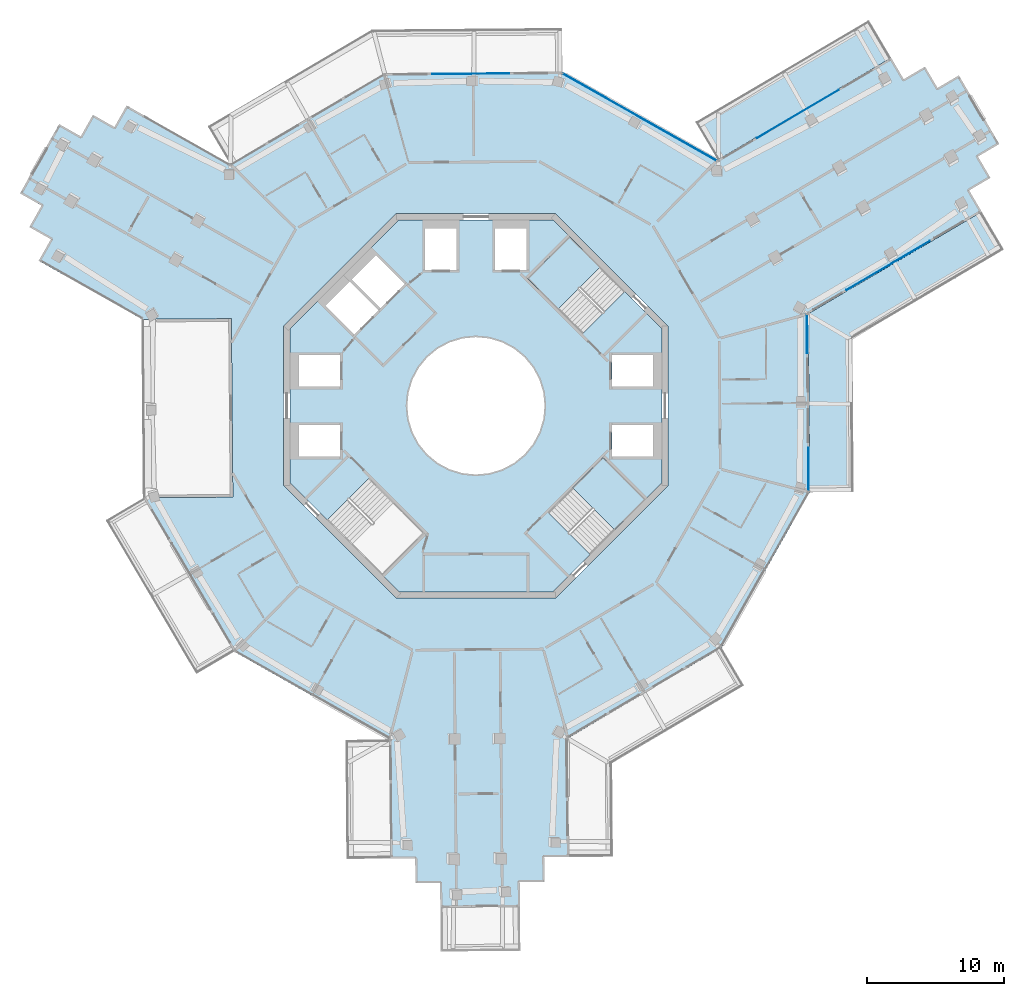
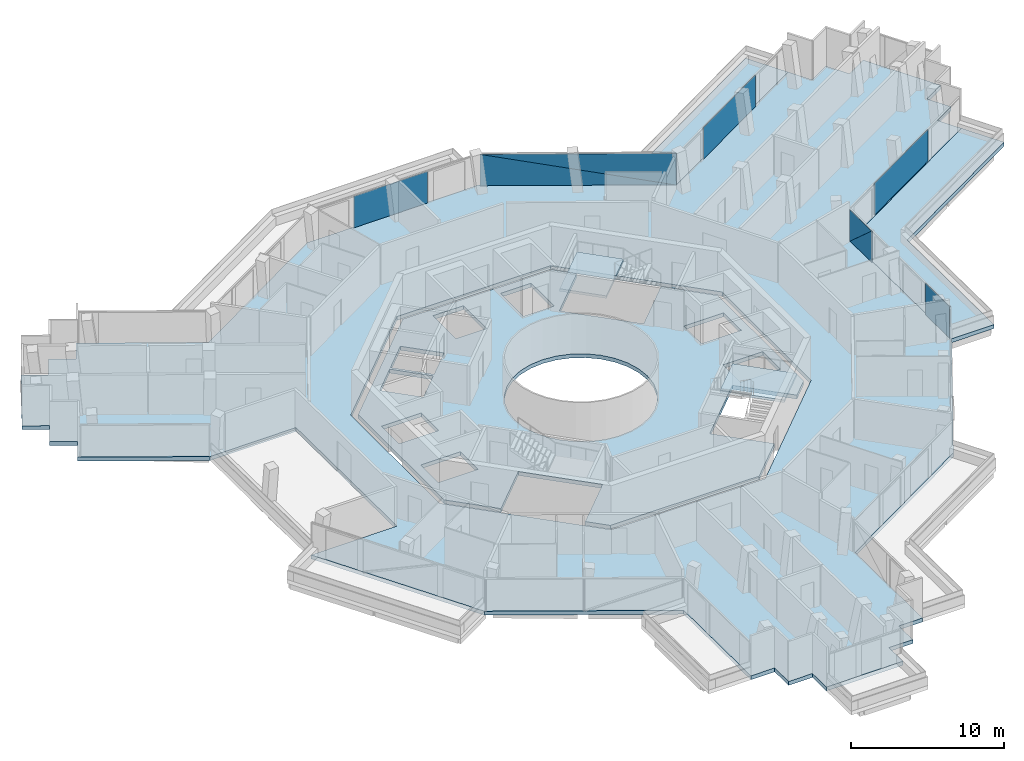
# One storey, part 16 of 26: 8 plates, 6 slabs, 7 elements without a shape of their own.
"""IFC4 building model written with IfcOpenShell, lengths in metres."""

from ifc_helpers import new_model, si_unit, direction, frame, origin, origin_2d, place, context, subcontext, project, spatial, polyline, rectangle, outline, extrude, material, layer, layer_set, type_object, element, aggregate, save


model = new_model("IFC4")

# Units and contexts
model_context = context("Model", 3, precision=1e-05, world=origin(), true_north=direction((0.0, 1.0)))
body_context = subcontext(model_context, "Body", "Model", "MODEL_VIEW")
ifc_project = project(units=[si_unit("LENGTHUNIT", "METRE"), si_unit("AREAUNIT", "SQUARE_METRE"), si_unit("VOLUMEUNIT", "CUBIC_METRE"), si_unit("PLANEANGLEUNIT", "RADIAN"), si_unit("MASSUNIT", "GRAM", prefix="KILO")], contexts=[model_context])

# Site, building, storey
site_placement = place(None, origin())
site = spatial("IfcSite", under=ifc_project, at=site_placement, CompositionType="ELEMENT")
building_placement = place(site_placement, origin())
building = spatial("IfcBuilding", under=site, at=building_placement, Name="Verdalira Terraces Hotel", CompositionType="ELEMENT")
storey_placement = place(building_placement, frame((0.0, 0.0, 281.0)))
storey = spatial("IfcBuildingStorey", under=building, at=storey_placement, Name="L69", CompositionType="ELEMENT", Elevation=281.0)

# Slabs
ifc_material_1 = material(Name="Precast concrete C40/50", Category="concrete")
ifc_layer_1 = layer(ifc_material_1, 0.31005859375)
ifc_layer_set_1 = layer_set([ifc_layer_1], Name="Balcony deck 310")
slab_type_1 = type_object("IfcSlabType", Name="Balcony deck 310", PredefinedType="FLOOR", material=ifc_layer_set_1)
slab_1_placement = place(storey_placement, frame((0.0, 0.0, -0.310059)))
element("IfcSlab", 1, at=slab_1_placement, inside=storey, type_object=slab_type_1, Name="Balcony deck", PredefinedType="FLOOR", context=body_context, shape_type="SweptSolid", body=[
    extrude(outline(polyline([(38.460449, 11.381348), (36.837158, 14.13916), (24.203125, 6.702881), (24.312012, -6.296631), (27.511719, -6.269775), (27.418457, 4.882324), (38.460449, 11.381348)])), origin(), (0.0, 0.0, 1.0), 0.310059),
])
slab_2_placement = place(storey_placement, frame((0.0, 0.0, -0.310059)))
element("IfcSlab", 2, at=slab_2_placement, inside=storey, type_object=slab_type_1, Name="Balcony deck", PredefinedType="FLOOR", context=body_context, shape_type="SweptSolid", body=[
    extrude(outline(polyline([(15.98584, 20.664307), (17.608887, 17.906494), (30.243164, 25.342529), (28.619873, 28.100342), (15.98584, 20.664307)])), origin(), (0.0, 0.0, 1.0), 0.310059),
])

# Curtain wall, plates
ifc_material_2 = material(Name="Clear glass", Category="glass")
ifc_layer_2 = layer(ifc_material_2, 0.14990234375)
ifc_layer_set_2 = layer_set([ifc_layer_2], Name="CW1 curtain wall")
curtain_wall_type_1 = type_object("IfcCurtainWallType", Name="CW1 curtain wall", PredefinedType="NOTDEFINED", material=ifc_layer_set_2)
curtain_wall_1_placement = place(storey_placement, origin())
curtain_wall_1 = element("IfcCurtainWall", 3, at=curtain_wall_1_placement, inside=storey, type_object=curtain_wall_type_1, Name="CW1 curtain wall L69 edge 27", PredefinedType="NOTDEFINED")
ifc_material_3 = material(Name="Clear glass", Category="glass")
ifc_layer_3 = layer(ifc_material_3, 0.028076171875)
ifc_layer_set_3 = layer_set([ifc_layer_3], Name="CW1 glass unit 28")
plate_type_1 = type_object("IfcPlateType", Name="CW1 glass unit 28", PredefinedType="CURTAIN_PANEL", material=ifc_layer_set_3)
plate_1_placement = place(storey_placement, frame((24.2229, -4.62207, 0.0), z_axis=(0.0, 0.0, 1.0), x_axis=(-0.008377482, 0.999964908, 0.0)))
plate_1 = element("IfcPlate", 4, at=plate_1_placement, type_object=plate_type_1, Name="CW1 glass unit", PredefinedType="CURTAIN_PANEL", context=body_context, shape_type="SweptSolid", body=[
    extrude(rectangle(XDim=3.149902, YDim=0.028076, at=origin_2d()), origin(), (0.0, 0.0, 1.0), 2.524902),
])
plate_2_placement = place(storey_placement, frame((24.126465, 5.228027, 1.262451), z_axis=(0.999964908, 0.008377482, 0.0), x_axis=(-0.008377482, 0.999964908, 0.0)))
plate_2 = element("IfcPlate", 5, at=plate_2_placement, type_object=plate_type_1, Name="CW1 glass unit", PredefinedType="CURTAIN_PANEL", context=body_context, shape_type="SweptSolid", body=[
    extrude(outline(polyline([(-1.414307, -1.262451), (1.414307, -1.262451), (-1.414307, 1.262451), (-1.414307, -1.262451)])), origin(), (0.0, 0.0, 1.0), 0.028076),
])
plate_3_placement = place(storey_placement, frame((24.097412, 5.227783, 1.262451), z_axis=(0.999964908, 0.008377482, 0.0), x_axis=(-0.008377482, 0.999964908, 0.0)))
plate_3 = element("IfcPlate", 6, at=plate_3_placement, type_object=plate_type_1, Name="CW1 glass unit", PredefinedType="CURTAIN_PANEL", context=body_context, shape_type="SweptSolid", body=[
    extrude(outline(polyline([(1.414307, -1.262451), (1.414307, 1.262451), (-1.414307, 1.262451), (1.414307, -1.262451)])), origin(), (0.0, 0.0, 1.0), 0.028076),
])
aggregate(curtain_wall_1, [plate_1, plate_2, plate_3])

curtain_wall_2_placement = place(storey_placement, origin())
curtain_wall_2 = element("IfcCurtainWall", 7, at=curtain_wall_2_placement, inside=storey, type_object=curtain_wall_type_1, Name="CW1 curtain wall L69 edge 39", PredefinedType="NOTDEFINED")
plate_4_placement = place(storey_placement, frame((11.926514, 21.021729, 1.262451), z_axis=(0.492727342, 0.870183755, 0.0), x_axis=(-0.870183755, 0.492727342, 0.0)))
plate_4 = element("IfcPlate", 8, at=plate_4_placement, type_object=plate_type_1, Name="CW1 glass unit", PredefinedType="CURTAIN_PANEL", context=body_context, shape_type="SweptSolid", body=[
    extrude(outline(polyline([(-6.419922, -1.262451), (6.419922, -1.262451), (6.419922, 1.262451), (-6.419922, -1.262451)])), origin(), (0.0, 0.0, 1.0), 0.028076),
])
plate_5_placement = place(storey_placement, frame((11.912109, 20.996338, 1.262451), z_axis=(0.492727342, 0.870183755, 0.0), x_axis=(-0.870183755, 0.492727342, 0.0)))
plate_5 = element("IfcPlate", 9, at=plate_5_placement, type_object=plate_type_1, Name="CW1 glass unit", PredefinedType="CURTAIN_PANEL", context=body_context, shape_type="SweptSolid", body=[
    extrude(outline(polyline([(-6.419922, -1.262451), (6.419922, 1.262451), (-6.419922, 1.262451), (-6.419922, -1.262451)])), origin(), (0.0, 0.0, 1.0), 0.028076),
])
aggregate(curtain_wall_2, [plate_4, plate_5])

# Curtain wall, plate
curtain_wall_3_placement = place(storey_placement, origin())
curtain_wall_3 = element("IfcCurtainWall", 10, at=curtain_wall_3_placement, inside=storey, type_object=curtain_wall_type_1, Name="CW1 curtain wall L69 edge 40", PredefinedType="NOTDEFINED")
plate_6_placement = place(storey_placement, frame((-0.382568, 24.180908, 0.0), z_axis=(0.0, 0.0, 1.0), x_axis=(-0.999964908, -0.008377482, 0.0)))
plate_6 = element("IfcPlate", 11, at=plate_6_placement, type_object=plate_type_1, Name="CW1 glass unit", PredefinedType="CURTAIN_PANEL", context=body_context, shape_type="SweptSolid", body=[
    extrude(rectangle(XDim=5.586182, YDim=0.028076, at=origin_2d()), origin(), (0.0, 0.0, 1.0), 2.524902),
])
aggregate(curtain_wall_3, [plate_6])

ifc_material_4 = material(Name="Clear glass", Category="glass")
ifc_layer_4 = layer(ifc_material_4, 0.14990234375)
ifc_layer_set_4 = layer_set([ifc_layer_4], Name="CW2 curtain wall")
curtain_wall_type_2 = type_object("IfcCurtainWallType", Name="CW2 curtain wall", PredefinedType="NOTDEFINED", material=ifc_layer_set_4)
curtain_wall_4_placement = place(storey_placement, origin())
curtain_wall_4 = element("IfcCurtainWall", 12, at=curtain_wall_4_placement, inside=storey, type_object=curtain_wall_type_2, Name="CW2 curtain wall L69 edge 28", PredefinedType="NOTDEFINED")
ifc_material_5 = material(Name="Clear glass", Category="glass")
ifc_layer_5 = layer(ifc_material_5, 0.031982421875)
ifc_layer_set_5 = layer_set([ifc_layer_5], Name="CW2 glass unit 32")
plate_type_2 = type_object("IfcPlateType", Name="CW2 glass unit 32", PredefinedType="CURTAIN_PANEL", material=ifc_layer_set_5)
plate_7_placement = place(storey_placement, frame((30.020996, 10.214355, 0.0), z_axis=(0.0, 0.0, 1.0), x_axis=(0.861806272, 0.507237567, 0.0)))
plate_7 = element("IfcPlate", 13, at=plate_7_placement, type_object=plate_type_2, Name="CW2 glass unit", PredefinedType="CURTAIN_PANEL", context=body_context, shape_type="SweptSolid", body=[
    extrude(rectangle(XDim=7.050049, YDim=0.031982, at=origin_2d()), origin(), (0.0, 0.0, 1.0), 2.524902),
])
aggregate(curtain_wall_4, [plate_7])

curtain_wall_5_placement = place(storey_placement, origin())
curtain_wall_5 = element("IfcCurtainWall", 14, at=curtain_wall_5_placement, inside=storey, type_object=curtain_wall_type_2, Name="CW2 curtain wall L69 edge 38", PredefinedType="NOTDEFINED")
plate_8_placement = place(storey_placement, frame((23.442627, 21.25293, 0.0), z_axis=(0.0, 0.0, 1.0), x_axis=(-0.861806272, -0.507237567, 0.0)))
plate_8 = element("IfcPlate", 15, at=plate_8_placement, type_object=plate_type_2, Name="CW2 glass unit", PredefinedType="CURTAIN_PANEL", context=body_context, shape_type="SweptSolid", body=[
    extrude(rectangle(XDim=6.910156, YDim=0.031982, at=origin_2d()), origin(), (0.0, 0.0, 1.0), 2.524902),
])
aggregate(curtain_wall_5, [plate_8])

# Slab
ifc_material_6 = material(Name="Concrete C40", Category="concrete")
ifc_layer_6 = layer(ifc_material_6, 0.31005859375)
ifc_layer_set_6 = layer_set([ifc_layer_6], Name="Core floor slab 310 mm")
slab_type_2 = type_object("IfcSlabType", Name="Core floor slab 310 mm", PredefinedType="FLOOR", material=ifc_layer_set_6)
slab_3_placement = place(storey_placement, frame((0.0, 0.0, -0.310059)))
element("IfcSlab", 16, at=slab_3_placement, inside=storey, type_object=slab_type_2, Name="L69 core floor", PredefinedType="FLOOR", context=body_context, shape_type="SweptSolid", body=[
    extrude(outline(polyline([(-6.809326, -12.353271), (-3.719482, -9.263184), (-7.746094, -5.236572), (-10.836182, -8.326416), (-13.550049, -5.612549), (-13.550049, 5.612549), (-5.612549, 13.550049), (5.612549, 13.550049), (6.809326, 12.353271), (3.719482, 9.263184), (7.746094, 5.236572), (10.836182, 8.326416), (13.550049, 5.612549), (13.550049, -5.612549), (12.353271, -6.809326), (9.263184, -3.719482), (5.236572, -7.746094), (8.326416, -10.836182), (5.612549, -13.550049), (-5.612549, -13.550049), (-6.809326, -12.353271)]), holes=[polyline([(9.899902, -1.399902), (9.899902, -3.699951), (12.899902, -3.699951), (12.899902, -1.399902), (9.899902, -1.399902)]), polyline([(9.899902, 3.699951), (9.899902, 1.399902), (12.899902, 1.399902), (12.899902, 3.699951), (9.899902, 3.699951)]), polyline([(3.699951, 12.899902), (1.399902, 12.899902), (1.399902, 9.899902), (3.699951, 9.899902), (3.699951, 12.899902)]), polyline([(-1.399902, 12.899902), (-3.699951, 12.899902), (-3.699951, 9.899902), (-1.399902, 9.899902), (-1.399902, 12.899902)]), polyline([(-9.899902, 1.399902), (-9.899902, 3.699951), (-12.899902, 3.699951), (-12.899902, 1.399902), (-9.899902, 1.399902)]), polyline([(-9.899902, -3.699951), (-9.899902, -1.399902), (-12.899902, -1.399902), (-12.899902, -3.699951), (-9.899902, -3.699951)]), polyline([(-9.051025, 9.192383), (-6.965088, 7.106445), (-5.197266, 8.874268), (-7.283203, 10.960205), (-9.051025, 9.192383)]), polyline([(-9.192383, 9.051025), (-10.960205, 7.283203), (-8.874268, 5.197266), (-7.106445, 6.965088), (-9.192383, 9.051025)]), polyline([(3.5354, 3.5354), (2.777832, 4.157227), (1.91333, 4.619385), (0.975586, 4.903809), (0.0, 5.0), (-0.975586, 4.903809), (-1.91333, 4.619385), (-2.777832, 4.157227), (-3.5354, 3.5354), (-4.157227, 2.777832), (-4.619385, 1.91333), (-4.903809, 0.975586), (-5.0, 0.0), (-4.903809, -0.975586), (-4.619385, -1.91333), (-4.157227, -2.777832), (-3.5354, -3.5354), (-2.777832, -4.157227), (-1.91333, -4.619385), (-0.975586, -4.903809), (0.0, -5.0), (0.975586, -4.903809), (1.91333, -4.619385), (2.777832, -4.157227), (3.5354, -3.5354), (4.157227, -2.777832), (4.619385, -1.91333), (4.903809, -0.975586), (5.0, 0.0), (4.903809, 0.975586), (4.619385, 1.91333), (4.157227, 2.777832), (3.5354, 3.5354)])]), origin(), (0.0, 0.0, 1.0), 0.310059),
])

# Stair, slab
ifc_material_7 = material(Name="Concrete C40", Category="concrete")
stair_type = type_object("IfcStairType", Name="Core stair 20 risers 2125 mm wide", PredefinedType="HALF_TURN_STAIR", material=ifc_material_7)
stair_1_placement = place(storey_placement, origin())
stair_1 = element("IfcStair", 17, at=stair_1_placement, inside=storey, type_object=stair_type, Name="L69 Exit stair ST1", PredefinedType="HALF_TURN_STAIR")
ifc_material_8 = material(Name="Concrete C40", Category="concrete")
ifc_layer_7 = layer(ifc_material_8, 0.199951171875)
ifc_layer_set_7 = layer_set([ifc_layer_7], Name="Core stair landing 200 mm")
slab_type_3 = type_object("IfcSlabType", Name="Core stair landing 200 mm", PredefinedType="LANDING", material=ifc_layer_set_7)
slab_4_placement = place(storey_placement, frame((0.0, 0.0, 1.550049)))
slab_4 = element("IfcSlab", 18, at=slab_4_placement, type_object=slab_type_3, Name="ST1 landing 1", PredefinedType="LANDING", context=body_context, shape_type="SweptSolid", body=[
    extrude(outline(polyline([(9.054932, 10.107666), (6.823486, 12.339111), (3.747559, 9.263184), (5.979004, 7.031738), (9.054932, 10.107666)])), origin(), (0.0, 0.0, 1.0), 0.199951),
])
aggregate(stair_1, [slab_4])

stair_2_placement = place(storey_placement, origin())
stair_2 = element("IfcStair", 19, at=stair_2_placement, inside=storey, type_object=stair_type, Name="L69 Exit stair ST3", PredefinedType="HALF_TURN_STAIR")
slab_5_placement = place(storey_placement, frame((0.0, 0.0, 1.550049)))
slab_5 = element("IfcSlab", 20, at=slab_5_placement, type_object=slab_type_3, Name="ST3 landing 1", PredefinedType="LANDING", context=body_context, shape_type="SweptSolid", body=[
    extrude(outline(polyline([(10.107666, -9.054932), (12.339111, -6.823486), (9.263184, -3.747559), (7.031738, -5.979004), (10.107666, -9.054932)])), origin(), (0.0, 0.0, 1.0), 0.199951),
])
aggregate(stair_2, [slab_5])

# Slab
ifc_material_9 = material(Name="Concrete C40", Category="concrete")
ifc_layer_8 = layer(ifc_material_9, 0.31005859375)
ifc_layer_set_8 = layer_set([ifc_layer_8], Name="Floor slab 310 C40")
slab_type_4 = type_object("IfcSlabType", Name="Floor slab 310 C40", PredefinedType="FLOOR", material=ifc_layer_set_8)
slab_6_placement = place(storey_placement, frame((0.0, 0.0, -0.310059)))
element("IfcSlab", 21, at=slab_6_placement, inside=storey, type_object=slab_type_4, Name="Floor slab L69", PredefinedType="FLOOR", context=body_context, shape_type="SweptSolid", body=[
    extrude(outline(polyline([(-30.960938, 12.129883), (-31.8479, 10.563721), (-24.3125, 6.296875), (-24.3125, 6.297119), (-17.811768, 6.351562), (-17.702637, -6.648926), (-24.202637, -6.703613), (-17.608887, -17.906494), (-6.296387, -24.312012), (-6.224121, -32.97168), (-4.424072, -32.956543), (-4.408936, -34.756592), (-2.608887, -34.741455), (-2.593994, -36.541504), (3.205811, -36.49292), (3.190918, -34.692871), (4.990723, -34.677734), (4.975586, -32.87793), (6.775391, -32.862793), (6.702881, -24.202881), (17.906494, -17.608887), (24.312012, -6.296387), (24.202881, 6.702881), (36.837158, 14.13916), (35.924316, 15.69043), (37.475342, 16.603516), (36.5625, 18.154785), (38.113525, 19.067627), (35.171631, 24.066162), (33.620361, 23.15332), (32.70752, 24.704346), (31.156006, 23.791504), (30.243164, 25.342529), (17.608887, 17.906494), (6.296387, 24.312012), (-6.702881, 24.202881), (-17.906494, 17.608887), (-25.442383, 21.875977), (-26.329346, 20.309814), (-27.895508, 21.196533), (-28.782471, 19.630371), (-30.348877, 20.51709), (-33.206787, 15.470215), (-31.640381, 14.583252), (-32.5271, 13.016846), (-30.960938, 12.129883)]), holes=[polyline([(5.799072, 14.0), (14.0, 5.799072), (14.0, -5.799072), (5.799072, -14.0), (-5.799072, -14.0), (-14.0, -5.799072), (-14.0, 5.799072), (-5.799072, 14.0), (5.799072, 14.0)])]), origin(), (0.0, 0.0, 1.0), 0.310059),
])

save(model, "model.ifc")
